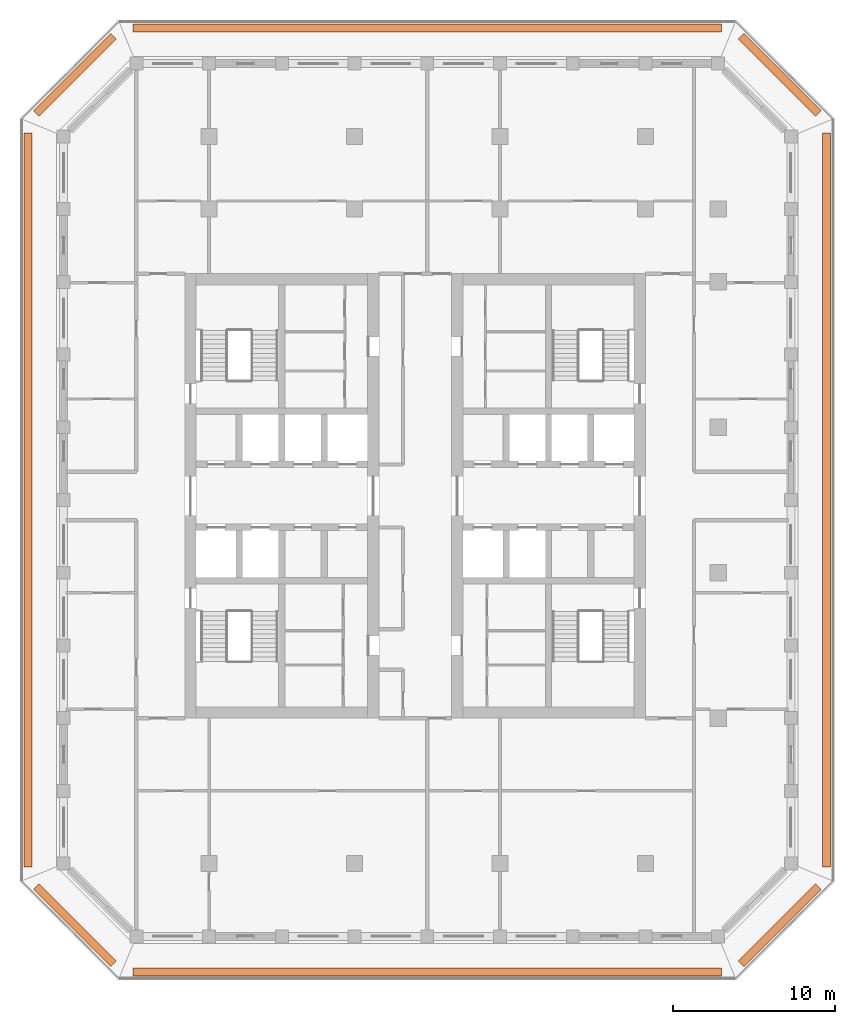
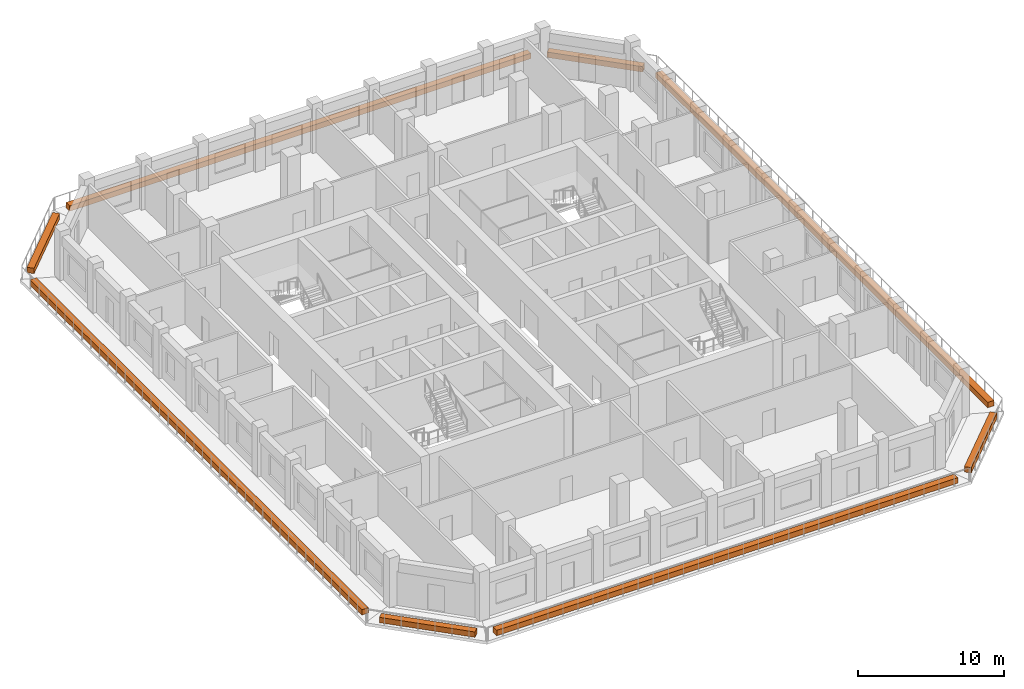
# One storey, part 17 of 17: 8 proxies.
"""IFC4 building model written with IfcOpenShell, lengths in metres."""

from ifc_helpers import new_model, si_unit, direction, frame, origin, origin_2d, place, context, subcontext, project, spatial, rectangle, extrude, material, type_object, element, save


model = new_model("IFC4")

# Units and contexts
model_context = context("Model", 3, precision=1e-05, world=origin(), true_north=direction((0.0, 1.0)))
body_context = subcontext(model_context, "Body", "Model", "MODEL_VIEW")
ifc_project = project(units=[si_unit("LENGTHUNIT", "METRE"), si_unit("AREAUNIT", "SQUARE_METRE"), si_unit("VOLUMEUNIT", "CUBIC_METRE"), si_unit("PLANEANGLEUNIT", "RADIAN"), si_unit("MASSUNIT", "GRAM", prefix="KILO")], contexts=[model_context])

# Site, building, storey
site_placement = place(None, origin())
site = spatial("IfcSite", under=ifc_project, at=site_placement, CompositionType="ELEMENT")
building_placement = place(site_placement, origin())
building = spatial("IfcBuilding", under=site, at=building_placement, Name="Corbel Stack Research Tower", CompositionType="ELEMENT")
storey_placement = place(building_placement, frame((0.0, 0.0, 252.10009765625)))
storey = spatial("IfcBuildingStorey", under=building, at=storey_placement, Name="L57", CompositionType="ELEMENT", Elevation=252.10009765625)

# Proxies
ifc_material = material(Name="Concrete C45/55", Category="concrete")
building_element_proxy_type = type_object("IfcBuildingElementProxyType", Name="Planter box", PredefinedType="USERDEFINED", material=ifc_material)
proxy_1_placement = place(storey_placement, frame((4.5, -24.699951171875, 0.0), z_axis=(0.0, 0.0, 1.0), x_axis=(1.0, 0.0, 0.0)))
element("IfcBuildingElementProxy", 1, at=proxy_1_placement, inside=storey, type_object=building_element_proxy_type, Name="Planter L57 S", ObjectType="PLANTER", PredefinedType="USERDEFINED", context=body_context, shape_type="SweptSolid", body=[
    extrude(rectangle(XDim=36.41064453125, YDim=0.5, at=origin_2d()), origin(), (0.0, 0.0, 1.0), 0.449951171875),
])
proxy_2_placement = place(storey_placement, frame((26.3056640625, -21.8056640625, 0.0), z_axis=(0.0, 0.0, 1.0), x_axis=(0.707106781187, 0.707106781187, 0.0)))
element("IfcBuildingElementProxy", 2, at=proxy_2_placement, inside=storey, type_object=building_element_proxy_type, Name="Planter L57 SE", ObjectType="PLANTER", PredefinedType="USERDEFINED", context=body_context, shape_type="SweptSolid", body=[
    extrude(rectangle(XDim=6.774658203125, YDim=0.5, at=origin_2d()), origin(), (0.0, 0.0, 1.0), 0.449951171875),
])
proxy_3_placement = place(storey_placement, frame((29.199951171875, 4.5, 0.0), z_axis=(0.0, 0.0, 1.0), x_axis=(0.0, 1.0, 0.0)))
element("IfcBuildingElementProxy", 3, at=proxy_3_placement, inside=storey, type_object=building_element_proxy_type, Name="Planter L57 E", ObjectType="PLANTER", PredefinedType="USERDEFINED", context=body_context, shape_type="SweptSolid", body=[
    extrude(rectangle(XDim=45.41064453125, YDim=0.5, at=origin_2d()), origin(), (0.0, 0.0, 1.0), 0.449951171875),
])
proxy_4_placement = place(storey_placement, frame((26.3056640625, 30.8056640625, 0.0), z_axis=(0.0, 0.0, 1.0), x_axis=(-0.707106781187, 0.707106781187, 0.0)))
element("IfcBuildingElementProxy", 4, at=proxy_4_placement, inside=storey, type_object=building_element_proxy_type, Name="Planter L57 NE", ObjectType="PLANTER", PredefinedType="USERDEFINED", context=body_context, shape_type="SweptSolid", body=[
    extrude(rectangle(XDim=6.774658203125, YDim=0.5, at=origin_2d()), origin(), (0.0, 0.0, 1.0), 0.449951171875),
])
proxy_5_placement = place(storey_placement, frame((4.5, 33.699951171875, 0.0), z_axis=(0.0, 0.0, 1.0), x_axis=(-1.0, 0.0, 0.0)))
element("IfcBuildingElementProxy", 5, at=proxy_5_placement, inside=storey, type_object=building_element_proxy_type, Name="Planter L57 N", ObjectType="PLANTER", PredefinedType="USERDEFINED", context=body_context, shape_type="SweptSolid", body=[
    extrude(rectangle(XDim=36.41064453125, YDim=0.5, at=origin_2d()), origin(), (0.0, 0.0, 1.0), 0.449951171875),
])
proxy_6_placement = place(storey_placement, frame((-17.3056640625, 30.8056640625, 0.0), z_axis=(0.0, 0.0, 1.0), x_axis=(-0.707106781187, -0.707106781187, 0.0)))
element("IfcBuildingElementProxy", 6, at=proxy_6_placement, inside=storey, type_object=building_element_proxy_type, Name="Planter L57 NW", ObjectType="PLANTER", PredefinedType="USERDEFINED", context=body_context, shape_type="SweptSolid", body=[
    extrude(rectangle(XDim=6.774658203125, YDim=0.5, at=origin_2d()), origin(), (0.0, 0.0, 1.0), 0.449951171875),
])
proxy_7_placement = place(storey_placement, frame((-20.199951171875, 4.5, 0.0), z_axis=(0.0, 0.0, 1.0), x_axis=(0.0, -1.0, 0.0)))
element("IfcBuildingElementProxy", 7, at=proxy_7_placement, inside=storey, type_object=building_element_proxy_type, Name="Planter L57 W", ObjectType="PLANTER", PredefinedType="USERDEFINED", context=body_context, shape_type="SweptSolid", body=[
    extrude(rectangle(XDim=45.41064453125, YDim=0.5, at=origin_2d()), origin(), (0.0, 0.0, 1.0), 0.449951171875),
])
proxy_8_placement = place(storey_placement, frame((-17.3056640625, -21.8056640625, 0.0), z_axis=(0.0, 0.0, 1.0), x_axis=(0.707106781187, -0.707106781187, 0.0)))
element("IfcBuildingElementProxy", 8, at=proxy_8_placement, inside=storey, type_object=building_element_proxy_type, Name="Planter L57 SW", ObjectType="PLANTER", PredefinedType="USERDEFINED", context=body_context, shape_type="SweptSolid", body=[
    extrude(rectangle(XDim=6.774658203125, YDim=0.5, at=origin_2d()), origin(), (0.0, 0.0, 1.0), 0.449951171875),
])

save(model, "model.ifc")
